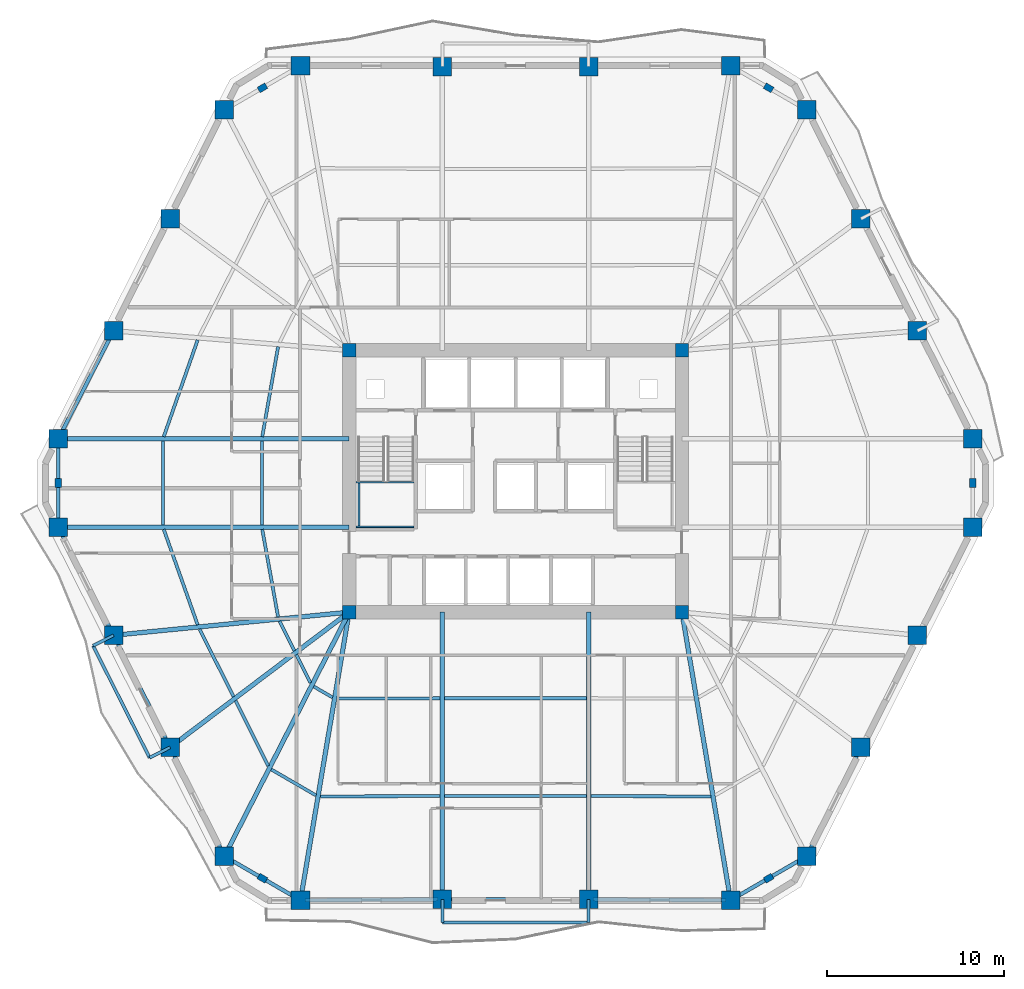
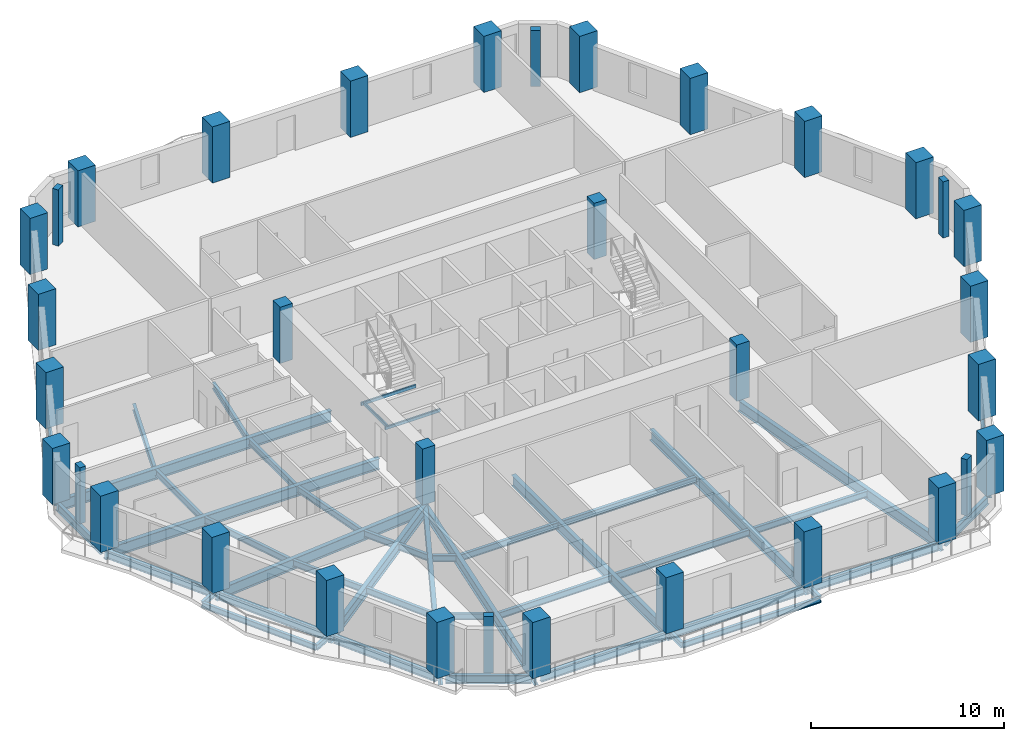
# One storey, part 1 of 10: 46 beams, 34 columns.
"""IFC4 building model written with IfcOpenShell, lengths in metres."""

from ifc_helpers import new_model, si_unit, direction, frame, origin, origin_2d, place, context, subcontext, project, spatial, rectangle, hollow_rectangle, i_section, extrude, material, material_profile, profile_set, type_object, element, save


model = new_model("IFC4")

# Units and contexts
model_context = context("Model", 3, precision=1e-05, world=origin(), true_north=direction((0.0, 1.0)))
body_context = subcontext(model_context, "Body", "Model", "MODEL_VIEW")
ifc_project = project(units=[si_unit("LENGTHUNIT", "METRE"), si_unit("AREAUNIT", "SQUARE_METRE"), si_unit("VOLUMEUNIT", "CUBIC_METRE"), si_unit("PLANEANGLEUNIT", "RADIAN"), si_unit("MASSUNIT", "GRAM", prefix="KILO")], contexts=[model_context])

# Site, building, storey
site_placement = place(None, origin())
site = spatial("IfcSite", under=ifc_project, at=site_placement, CompositionType="ELEMENT")
building_placement = place(site_placement, origin())
building = spatial("IfcBuilding", under=site, at=building_placement, Name="Cinnabar Lancet Tower", CompositionType="ELEMENT")
storey_placement = place(building_placement, frame((0.0, 0.0, 87.10009765625)))
storey = spatial("IfcBuildingStorey", under=building, at=storey_placement, Name="L22", CompositionType="ELEMENT", Elevation=87.10009765625)

# Columns
ifc_material_1 = material(Name="Concrete C70/85", Category="concrete")
ifc_material_profile_1 = material_profile(ifc_material_1, rectangle(XDim=0.75, YDim=0.75, at=origin_2d()), Name="RC-COL 750x750")
ifc_profile_set_1 = profile_set([ifc_material_profile_1], Name="Concrete C70/85")
column_type_1 = type_object("IfcColumnType", Name="STR-COL-CORE-750", PredefinedType="COLUMN", material=ifc_profile_set_1)
for number, where, z_axis, x_axis, name in (
    (1, (23.02490234375, 18.52490234375, 0.0), (0.0, 0.0, 1.0), (1.0, 0.0, 0.0), "L22 Core Corner Column SW"),
    (2, (41.77490234375, 18.52490234375, 0.0), (0.0, 0.0, 1.0), (1.0, 0.0, 0.0), "L22 Core Corner Column SE"),
    (3, (41.77490234375, 33.27490234375, 0.0), (0.0, 0.0, 1.0), (1.0, 0.0, 0.0), "L22 Core Corner Column NE"),
    (4, (23.02490234375, 33.27490234375, 0.0), (0.0, 0.0, 1.0), (1.0, 0.0, 0.0), "L22 Core Corner Column NW"),
):
    element("IfcColumn", number, at=place(storey_placement, frame(where, z_axis=z_axis, x_axis=x_axis)), inside=storey, type_object=column_type_1, Name=name, PredefinedType="COLUMN", context=body_context, shape_type="SweptSolid", body=[
        extrude(rectangle(XDim=0.75, YDim=0.75, at=origin_2d()), origin(), (0.0, 0.0, 1.0), 3.5498046875),
    ])
ifc_material_2 = material(Name="Concrete C60/75", Category="concrete")
ifc_material_profile_2 = material_profile(ifc_material_2, rectangle(XDim=0.5, YDim=0.35009765625, at=origin_2d()), Name="RC-PIL 500x350")
ifc_profile_set_2 = profile_set([ifc_material_profile_2], Name="Concrete C60/75")
column_type_2 = type_object("IfcColumnType", Name="STR-COL-PIL-500", PredefinedType="PILASTER", material=ifc_profile_set_2)
for number, where, z_axis, x_axis, name in (
    (5, (18.139892578125, 3.531005859375, 0.0), (0.0, 0.0, 1.0), (0.865195182343, -0.501435236546, 0.0), "L22 Chamfered Corner Pilaster 1"),
    (6, (46.659912109375, 3.531005859375, 0.0), (0.0, 0.0, 1.0), (0.865195182343, 0.501435236546, 0.0), "L22 Chamfered Corner Pilaster 2"),
    (7, (58.16796875, 25.800048828125, 0.0), (0.0, 0.0, 1.0), (0.0, 1.0, 0.0), "L22 Chamfered Corner Pilaster 3"),
    (8, (46.659912109375, 48.069091796875, 0.0), (0.0, 0.0, 1.0), (-0.865195182343, 0.501435236546, 0.0), "L22 Chamfered Corner Pilaster 4"),
    (9, (18.139892578125, 48.069091796875, 0.0), (0.0, 0.0, 1.0), (-0.865195182343, -0.501435236546, 0.0), "L22 Chamfered Corner Pilaster 5"),
    (10, (6.632080078125, 25.800048828125, 0.0), (0.0, 0.0, 1.0), (0.0, -1.0, 0.0), "L22 Chamfered Corner Pilaster 6"),
):
    element("IfcColumn", number, at=place(storey_placement, frame(where, z_axis=z_axis, x_axis=x_axis)), inside=storey, type_object=column_type_2, Name=name, PredefinedType="PILASTER", context=body_context, shape_type="SweptSolid", body=[
        extrude(rectangle(XDim=0.5, YDim=0.35009765625, at=origin_2d()), origin(), (0.0, 0.0, 1.0), 3.5498046875),
    ])
ifc_material_3 = material(Name="Concrete C70/85", Category="concrete")
ifc_material_profile_3 = material_profile(ifc_material_3, rectangle(XDim=1.050048828125, YDim=1.050048828125, at=origin_2d()), Name="RC-COL 1050x1050")
ifc_profile_set_3 = profile_set([ifc_material_profile_3], Name="Concrete C70/85")
column_type_3 = type_object("IfcColumnType", Name="STR-COL-TUBE-1050", PredefinedType="COLUMN", material=ifc_profile_set_3)
for number, where, z_axis, x_axis, name in (
    (11, (20.282958984375, 2.2890625, 0.0), (0.0, 0.0, 1.0), (1.0, 0.0, 0.0), "L22 Perimeter Tube Column 1"),
    (12, (28.278076171875, 2.342041015625, 0.0), (0.0, 0.0, 1.0), (1.0, 0.0, 0.0), "L22 Perimeter Tube Column 2"),
    (13, (36.52197265625, 2.342041015625, 0.0), (0.0, 0.0, 1.0), (1.0, 0.0, 0.0), "L22 Perimeter Tube Column 3"),
    (14, (44.51708984375, 2.2890625, 0.0), (0.0, 0.0, 1.0), (1.0, 0.0, 0.0), "L22 Perimeter Tube Column 4"),
    (15, (48.802978515625, 4.77294921875, 0.0), (0.0, 0.0, 1.0), (1.0, 0.0, 0.0), "L22 Perimeter Tube Column 5"),
    (16, (51.85888671875, 10.908935546875, 0.0), (0.0, 0.0, 1.0), (1.0, 0.0, 0.0), "L22 Perimeter Tube Column 6"),
    (17, (55.0458984375, 17.219970703125, 0.0), (0.0, 0.0, 1.0), (1.0, 0.0, 0.0), "L22 Perimeter Tube Column 7"),
    (18, (58.16796875, 23.31396484375, 0.0), (0.0, 0.0, 1.0), (1.0, 0.0, 0.0), "L22 Perimeter Tube Column 8"),
    (19, (58.16796875, 28.285888671875, 0.0), (0.0, 0.0, 1.0), (1.0, 0.0, 0.0), "L22 Perimeter Tube Column 9"),
    (20, (55.0458984375, 34.3798828125, 0.0), (0.0, 0.0, 1.0), (1.0, 0.0, 0.0), "L22 Perimeter Tube Column 10"),
    (21, (51.85888671875, 40.69091796875, 0.0), (0.0, 0.0, 1.0), (1.0, 0.0, 0.0), "L22 Perimeter Tube Column 11"),
    (22, (48.802978515625, 46.826904296875, 0.0), (0.0, 0.0, 1.0), (1.0, 0.0, 0.0), "L22 Perimeter Tube Column 12"),
    (23, (44.51708984375, 49.31103515625, 0.0), (0.0, 0.0, 1.0), (1.0, 0.0, 0.0), "L22 Perimeter Tube Column 13"),
    (24, (36.52197265625, 49.258056640625, 0.0), (0.0, 0.0, 1.0), (1.0, 0.0, 0.0), "L22 Perimeter Tube Column 14"),
    (25, (28.278076171875, 49.258056640625, 0.0), (0.0, 0.0, 1.0), (1.0, 0.0, 0.0), "L22 Perimeter Tube Column 15"),
    (26, (20.282958984375, 49.31103515625, 0.0), (0.0, 0.0, 1.0), (1.0, 0.0, 0.0), "L22 Perimeter Tube Column 16"),
    (27, (15.9970703125, 46.826904296875, 0.0), (0.0, 0.0, 1.0), (1.0, 0.0, 0.0), "L22 Perimeter Tube Column 17"),
    (28, (12.94091796875, 40.69091796875, 0.0), (0.0, 0.0, 1.0), (1.0, 0.0, 0.0), "L22 Perimeter Tube Column 18"),
    (29, (9.75390625, 34.3798828125, 0.0), (0.0, 0.0, 1.0), (1.0, 0.0, 0.0), "L22 Perimeter Tube Column 19"),
    (30, (6.632080078125, 28.285888671875, 0.0), (0.0, 0.0, 1.0), (1.0, 0.0, 0.0), "L22 Perimeter Tube Column 20"),
    (31, (6.632080078125, 23.31396484375, 0.0), (0.0, 0.0, 1.0), (1.0, 0.0, 0.0), "L22 Perimeter Tube Column 21"),
    (32, (9.75390625, 17.219970703125, 0.0), (0.0, 0.0, 1.0), (1.0, 0.0, 0.0), "L22 Perimeter Tube Column 22"),
    (33, (12.94091796875, 10.908935546875, 0.0), (0.0, 0.0, 1.0), (1.0, 0.0, 0.0), "L22 Perimeter Tube Column 23"),
    (34, (15.9970703125, 4.77294921875, 0.0), (0.0, 0.0, 1.0), (1.0, 0.0, 0.0), "L22 Perimeter Tube Column 24"),
):
    element("IfcColumn", number, at=place(storey_placement, frame(where, z_axis=z_axis, x_axis=x_axis)), inside=storey, type_object=column_type_3, Name=name, PredefinedType="COLUMN", context=body_context, shape_type="SweptSolid", body=[
        extrude(rectangle(XDim=1.050048828125, YDim=1.050048828125, at=origin_2d()), origin(), (0.0, 0.0, 1.0), 3.5498046875),
    ])

# Beams
ifc_material_4 = material(Name="Structural steel S355", Category="steel")
ifc_material_profile_4 = material_profile(ifc_material_4, i_section(OverallWidth=0.177978515625, OverallDepth=0.406494140625, WebThickness=0.0078125, FlangeThickness=0.0126953125, FilletRadius=0.01025390625, at=origin_2d()), Name="UKB 406x178x60")
ifc_profile_set_4 = profile_set([ifc_material_profile_4], Name="Structural steel S355")
beam_type_1 = type_object("IfcBeamType", Name="STR-BM-JST-406", PredefinedType="JOIST", material=ifc_profile_set_4)
beam_1_placement = place(storey_placement, frame((12.5791015625, 23.18701171875, -0.423095703125), z_axis=(0.334725039774, -0.942315842883, 0.0), x_axis=(0.942315842883, 0.334725039774, 0.0)))
element("IfcBeam", 35, at=beam_1_placement, inside=storey, type_object=beam_type_1, Name="L22 Secondary Floor Joist 1", PredefinedType="JOIST", context=body_context, shape_type="SweptSolid", body=[
    extrude(i_section(OverallWidth=0.177978515625, OverallDepth=0.406494140625, WebThickness=0.0078125, FlangeThickness=0.0126953125, FilletRadius=0.01025390625, at=origin_2d()), origin(), (0.0, 0.0, 1.0), 5.702880859375),
])
beam_2_placement = place(storey_placement, frame((18.1298828125, 23.18701171875, -0.423095703125), z_axis=(0.177941534491, -0.984041061289, 0.0), x_axis=(0.984041061289, 0.177941534491, 0.0)))
element("IfcBeam", 36, at=beam_2_placement, inside=storey, type_object=beam_type_1, Name="L22 Secondary Floor Joist 2", PredefinedType="JOIST", context=body_context, shape_type="SweptSolid", body=[
    extrude(i_section(OverallWidth=0.177978515625, OverallDepth=0.406494140625, WebThickness=0.0078125, FlangeThickness=0.0126953125, FilletRadius=0.01025390625, at=origin_2d()), origin(), (0.0, 0.0, 1.0), 5.0078125),
])
beam_3_placement = place(storey_placement, frame((14.593017578125, 17.568115234375, -0.423095703125), z_axis=(0.450763900798, -0.892643213012, 0.0), x_axis=(0.892643213012, 0.450763900798, 0.0)))
element("IfcBeam", 37, at=beam_3_placement, inside=storey, type_object=beam_type_1, Name="L22 Secondary Floor Joist 3", PredefinedType="JOIST", context=body_context, shape_type="SweptSolid", body=[
    extrude(i_section(OverallWidth=0.177978515625, OverallDepth=0.406494140625, WebThickness=0.0078125, FlangeThickness=0.0126953125, FilletRadius=0.01025390625, at=origin_2d()), origin(), (0.0, 0.0, 1.0), 4.25927734375),
])
beam_4_placement = place(storey_placement, frame((19.10498046875, 18.011962890625, -0.423095703125), z_axis=(0.450839777892, -0.892604892811, 0.0), x_axis=(0.892604892811, 0.450839777892, 0.0)))
element("IfcBeam", 38, at=beam_4_placement, inside=storey, type_object=beam_type_1, Name="L22 Secondary Floor Joist 4", PredefinedType="JOIST", context=body_context, shape_type="SweptSolid", body=[
    extrude(i_section(OverallWidth=0.177978515625, OverallDepth=0.406494140625, WebThickness=0.0078125, FlangeThickness=0.0126953125, FilletRadius=0.01025390625, at=origin_2d()), origin(), (0.0, 0.0, 1.0), 1.8564453125),
])
beam_5_placement = place(storey_placement, frame((16.62890625, 13.534912109375, -0.423095703125), z_axis=(0.445879271348, -0.895093109896, 0.0), x_axis=(0.895093109896, 0.445879271348, 0.0)))
element("IfcBeam", 39, at=beam_5_placement, inside=storey, type_object=beam_type_1, Name="L22 Secondary Floor Joist 5", PredefinedType="JOIST", context=body_context, shape_type="SweptSolid", body=[
    extrude(i_section(OverallWidth=0.177978515625, OverallDepth=0.406494140625, WebThickness=0.0078125, FlangeThickness=0.0126953125, FilletRadius=0.01025390625, at=origin_2d()), origin(), (0.0, 0.0, 1.0), 4.10009765625),
])
beam_6_placement = place(storey_placement, frame((20.056884765625, 16.125, -0.423095703125), z_axis=(0.445888683384, -0.895088421347, 0.0), x_axis=(0.895088421347, 0.445888683384, 0.0)))
element("IfcBeam", 40, at=beam_6_placement, inside=storey, type_object=beam_type_1, Name="L22 Secondary Floor Joist 6", PredefinedType="JOIST", context=body_context, shape_type="SweptSolid", body=[
    extrude(i_section(OverallWidth=0.177978515625, OverallDepth=0.406494140625, WebThickness=0.0078125, FlangeThickness=0.0126953125, FilletRadius=0.01025390625, at=origin_2d()), origin(), (0.0, 0.0, 1.0), 1.76953125),
])
beam_7_placement = place(storey_placement, frame((18.636962890625, 9.659912109375, -0.423095703125), z_axis=(0.865230791262, -0.501373790551, 0.0), x_axis=(0.501373790551, 0.865230791262, 0.0)))
element("IfcBeam", 41, at=beam_7_placement, inside=storey, type_object=beam_type_1, Name="L22 Secondary Floor Joist 7", PredefinedType="JOIST", context=body_context, shape_type="SweptSolid", body=[
    extrude(i_section(OverallWidth=0.177978515625, OverallDepth=0.406494140625, WebThickness=0.0078125, FlangeThickness=0.0126953125, FilletRadius=0.01025390625, at=origin_2d()), origin(), (0.0, 0.0, 1.0), 2.907958984375),
])
beam_8_placement = place(storey_placement, frame((21.027099609375, 14.3359375, -0.423095703125), z_axis=(0.864870018283, -0.501995867986, 0.0), x_axis=(0.501995867986, 0.864870018283, 0.0)))
element("IfcBeam", 42, at=beam_8_placement, inside=storey, type_object=beam_type_1, Name="L22 Secondary Floor Joist 8", PredefinedType="JOIST", context=body_context, shape_type="SweptSolid", body=[
    extrude(i_section(OverallWidth=0.177978515625, OverallDepth=0.406494140625, WebThickness=0.0078125, FlangeThickness=0.0126953125, FilletRadius=0.01025390625, at=origin_2d()), origin(), (0.0, 0.0, 1.0), 1.22314453125),
])
beam_9_placement = place(storey_placement, frame((21.39892578125, 8.135009765625, -0.423095703125), z_axis=(0.999988781713, 0.004736712844, 0.0), x_axis=(-0.004736712844, 0.999988781713, 0.0)))
element("IfcBeam", 43, at=beam_9_placement, inside=storey, type_object=beam_type_1, Name="L22 Secondary Floor Joist 9", PredefinedType="JOIST", context=body_context, shape_type="SweptSolid", body=[
    extrude(i_section(OverallWidth=0.177978515625, OverallDepth=0.406494140625, WebThickness=0.0078125, FlangeThickness=0.0126953125, FilletRadius=0.01025390625, at=origin_2d()), origin(), (0.0, 0.0, 1.0), 6.751953125),
])
beam_10_placement = place(storey_placement, frame((22.3310546875, 13.655029296875, -0.423095703125), z_axis=(0.99999672593, 0.00255893113, 0.0), x_axis=(-0.00255893113, 0.99999672593, 0.0)))
element("IfcBeam", 44, at=beam_10_placement, inside=storey, type_object=beam_type_1, Name="L22 Secondary Floor Joist 10", PredefinedType="JOIST", context=body_context, shape_type="SweptSolid", body=[
    extrude(i_section(OverallWidth=0.177978515625, OverallDepth=0.406494140625, WebThickness=0.0078125, FlangeThickness=0.0126953125, FilletRadius=0.01025390625, at=origin_2d()), origin(), (0.0, 0.0, 1.0), 5.81982421875),
])
for number, where, z_axis, x_axis, name in (
    (45, (28.405029296875, 8.16796875, -0.423095703125), (1.0, 0.0, 0.0), (0.0, 1.0, 0.0), "L22 Secondary Floor Joist 11"),
    (46, (28.405029296875, 13.669921875, -0.423095703125), (1.0, 0.0, 0.0), (0.0, 1.0, 0.0), "L22 Secondary Floor Joist 12"),
):
    element("IfcBeam", number, at=place(storey_placement, frame(where, z_axis=z_axis, x_axis=x_axis)), inside=storey, type_object=beam_type_1, Name=name, PredefinedType="JOIST", context=body_context, shape_type="SweptSolid", body=[
        extrude(i_section(OverallWidth=0.177978515625, OverallDepth=0.406494140625, WebThickness=0.0078125, FlangeThickness=0.0126953125, FilletRadius=0.01025390625, at=origin_2d()), origin(), (0.0, 0.0, 1.0), 7.989990234375),
    ])
beam_11_placement = place(storey_placement, frame((36.64892578125, 8.1669921875, -0.423095703125), z_axis=(0.999988781713, -0.004736712844, 0.0), x_axis=(0.004736712844, 0.999988781713, 0.0)))
element("IfcBeam", 47, at=beam_11_placement, inside=storey, type_object=beam_type_1, Name="L22 Secondary Floor Joist 13", PredefinedType="JOIST", context=body_context, shape_type="SweptSolid", body=[
    extrude(i_section(OverallWidth=0.177978515625, OverallDepth=0.406494140625, WebThickness=0.0078125, FlangeThickness=0.0126953125, FilletRadius=0.01025390625, at=origin_2d()), origin(), (0.0, 0.0, 1.0), 6.751953125),
])
beam_12_placement = place(storey_placement, frame((14.488037109375, 33.85888671875, -0.423095703125), z_axis=(-0.330987266454, -0.943635220541, 0.0), x_axis=(0.943635220541, -0.330987266454, 0.0)))
element("IfcBeam", 48, at=beam_12_placement, inside=storey, type_object=beam_type_1, Name="L22 Secondary Floor Joist 45", PredefinedType="JOIST", context=body_context, shape_type="SweptSolid", body=[
    extrude(i_section(OverallWidth=0.177978515625, OverallDepth=0.406494140625, WebThickness=0.0078125, FlangeThickness=0.0126953125, FilletRadius=0.01025390625, at=origin_2d()), origin(), (0.0, 0.0, 1.0), 5.77099609375),
])
beam_13_placement = place(storey_placement, frame((19.02197265625, 33.48095703125, -0.423095703125), z_axis=(-0.173547157688, -0.984825560218, 0.0), x_axis=(0.984825560218, -0.173547157688, 0.0)))
element("IfcBeam", 49, at=beam_13_placement, inside=storey, type_object=beam_type_1, Name="L22 Secondary Floor Joist 46", PredefinedType="JOIST", context=body_context, shape_type="SweptSolid", body=[
    extrude(i_section(OverallWidth=0.177978515625, OverallDepth=0.406494140625, WebThickness=0.0078125, FlangeThickness=0.0126953125, FilletRadius=0.01025390625, at=origin_2d()), origin(), (0.0, 0.0, 1.0), 5.14599609375),
])
for number, where, z_axis, x_axis, name in (
    (50, (12.532958984375, 28.158935546875, -0.423095703125), (0.0, -1.0, 0.0), (1.0, 0.0, 0.0), "L22 Secondary Floor Joist 47"),
    (51, (18.10693359375, 28.158935546875, -0.423095703125), (0.0, -1.0, 0.0), (1.0, 0.0, 0.0), "L22 Secondary Floor Joist 48"),
):
    element("IfcBeam", number, at=place(storey_placement, frame(where, z_axis=z_axis, x_axis=x_axis)), inside=storey, type_object=beam_type_1, Name=name, PredefinedType="JOIST", context=body_context, shape_type="SweptSolid", body=[
        extrude(i_section(OverallWidth=0.177978515625, OverallDepth=0.406494140625, WebThickness=0.0078125, FlangeThickness=0.0126953125, FilletRadius=0.01025390625, at=origin_2d()), origin(), (0.0, 0.0, 1.0), 4.718017578125),
    ])
ifc_material_5 = material(Name="Structural steel S355", Category="steel")
ifc_material_profile_5 = material_profile(ifc_material_5, hollow_rectangle(XDim=0.10009765625, YDim=0.199951171875, WallThickness=0.008056640625, InnerFilletRadius=0.00390625, OuterFilletRadius=0.011962890625, at=origin_2d()), Name="RHS 200x100x8")
ifc_profile_set_5 = profile_set([ifc_material_profile_5], Name="Structural steel S355")
beam_type_2 = type_object("IfcBeamType", Name="STR-BM-LND-203", PredefinedType="BEAM", material=ifc_profile_set_5)
for number, where, z_axis, x_axis, name in (
    (52, (23.39990234375, 23.330078125, 1.474853515625), (1.0, 0.0, 0.0), (0.0, 1.0, 0.0), "L22 ST-1-L22 Landing Support Beam S"),
    (53, (23.39990234375, 25.844970703125, 1.474853515625), (1.0, 0.0, 0.0), (0.0, 1.0, 0.0), "L22 ST-1-L22 Landing Support Beam N"),
):
    element("IfcBeam", number, at=place(storey_placement, frame(where, z_axis=z_axis, x_axis=x_axis)), inside=storey, type_object=beam_type_2, Name=name, PredefinedType="BEAM", context=body_context, shape_type="SweptSolid", body=[
        extrude(hollow_rectangle(XDim=0.10009765625, YDim=0.199951171875, WallThickness=0.008056640625, InnerFilletRadius=0.00390625, OuterFilletRadius=0.011962890625, at=origin_2d()), origin(), (0.0, 0.0, 1.0), 3.280029296875),
    ])
beam_14_placement = place(storey_placement, frame((23.580078125, 23.3798828125, 1.474853515625), z_axis=(0.0, 1.0, 0.0), x_axis=(-1.0, 0.0, 0.0)))
element("IfcBeam", 54, at=beam_14_placement, inside=storey, type_object=beam_type_2, Name="L22 ST-1-L22 Landing Side Trimmer Beam", PredefinedType="BEAM", context=body_context, shape_type="SweptSolid", body=[
    extrude(hollow_rectangle(XDim=0.10009765625, YDim=0.199951171875, WallThickness=0.008056640625, InnerFilletRadius=0.00390625, OuterFilletRadius=0.011962890625, at=origin_2d()), origin(), (0.0, 0.0, 1.0), 2.4150390625),
])
ifc_material_6 = material(Name="Structural steel S355", Category="steel")
ifc_material_profile_6 = material_profile(ifc_material_6, i_section(OverallWidth=0.209228515625, OverallDepth=0.533203125, WebThickness=0.010009765625, FlangeThickness=0.015625, FilletRadius=0.0126953125, at=origin_2d()), Name="UKB 533x210x92")
ifc_profile_set_6 = profile_set([ifc_material_profile_6], Name="Structural steel S355")
beam_type_3 = type_object("IfcBeamType", Name="STR-BM-SPN-533", PredefinedType="SPANDREL", material=ifc_profile_set_6)
beam_15_placement = place(storey_placement, frame((20.532958984375, 2.291015625, -0.487060546875), z_axis=(0.99997856757, 0.006547090947, 0.0), x_axis=(-0.006547090947, 0.99997856757, 0.0)))
element("IfcBeam", 55, at=beam_15_placement, inside=storey, type_object=beam_type_3, Name="L22 Perimeter Spandrel 1", PredefinedType="SPANDREL", context=body_context, shape_type="SweptSolid", body=[
    extrude(i_section(OverallWidth=0.209228515625, OverallDepth=0.533203125, WebThickness=0.010009765625, FlangeThickness=0.015625, FilletRadius=0.0126953125, at=origin_2d()), origin(), (0.0, 0.0, 1.0), 7.495361328125),
])
beam_16_placement = place(storey_placement, frame((28.528076171875, 2.342041015625, -0.487060546875), z_axis=(1.0, 0.0, 0.0), x_axis=(0.0, 1.0, 0.0)))
element("IfcBeam", 56, at=beam_16_placement, inside=storey, type_object=beam_type_3, Name="L22 Perimeter Spandrel 2", PredefinedType="SPANDREL", context=body_context, shape_type="SweptSolid", body=[
    extrude(i_section(OverallWidth=0.209228515625, OverallDepth=0.533203125, WebThickness=0.010009765625, FlangeThickness=0.015625, FilletRadius=0.0126953125, at=origin_2d()), origin(), (0.0, 0.0, 1.0), 7.743896484375),
])
beam_17_placement = place(storey_placement, frame((36.77197265625, 2.340087890625, -0.487060546875), z_axis=(0.99997856757, -0.006547090947, 0.0), x_axis=(0.006547090947, 0.99997856757, 0.0)))
element("IfcBeam", 57, at=beam_17_placement, inside=storey, type_object=beam_type_3, Name="L22 Perimeter Spandrel 3", PredefinedType="SPANDREL", context=body_context, shape_type="SweptSolid", body=[
    extrude(i_section(OverallWidth=0.209228515625, OverallDepth=0.533203125, WebThickness=0.010009765625, FlangeThickness=0.015625, FilletRadius=0.0126953125, at=origin_2d()), origin(), (0.0, 0.0, 1.0), 7.495361328125),
])
beam_18_placement = place(storey_placement, frame((44.73291015625, 2.4140625, -0.487060546875), z_axis=(0.865171017323, 0.501476929463, 0.0), x_axis=(-0.501476929463, 0.865171017323, 0.0)))
element("IfcBeam", 58, at=beam_18_placement, inside=storey, type_object=beam_type_3, Name="L22 Perimeter Spandrel 4", PredefinedType="SPANDREL", context=body_context, shape_type="SweptSolid", body=[
    extrude(i_section(OverallWidth=0.209228515625, OverallDepth=0.533203125, WebThickness=0.010009765625, FlangeThickness=0.015625, FilletRadius=0.0126953125, at=origin_2d()), origin(), (0.0, 0.0, 1.0), 4.45458984375),
])
beam_19_placement = place(storey_placement, frame((48.9140625, 4.9970703125, -0.487060546875), z_axis=(0.445953050023, 0.89505635419, 0.0), x_axis=(-0.89505635419, 0.445953050023, 0.0)))
element("IfcBeam", 59, at=beam_19_placement, inside=storey, type_object=beam_type_3, Name="L22 Perimeter Spandrel 5", PredefinedType="SPANDREL", context=body_context, shape_type="SweptSolid", body=[
    extrude(i_section(OverallWidth=0.209228515625, OverallDepth=0.533203125, WebThickness=0.010009765625, FlangeThickness=0.015625, FilletRadius=0.0126953125, at=origin_2d()), origin(), (0.0, 0.0, 1.0), 6.35498046875),
])
beam_20_placement = place(storey_placement, frame((9.639892578125, 34.156982421875, -0.487060546875), z_axis=(-0.455994051912, -0.889982822655, 0.0), x_axis=(0.889982822655, -0.455994051912, 0.0)))
element("IfcBeam", 60, at=beam_20_placement, inside=storey, type_object=beam_type_3, Name="L22 Perimeter Spandrel 19", PredefinedType="SPANDREL", context=body_context, shape_type="SweptSolid", body=[
    extrude(i_section(OverallWidth=0.209228515625, OverallDepth=0.533203125, WebThickness=0.010009765625, FlangeThickness=0.015625, FilletRadius=0.0126953125, at=origin_2d()), origin(), (0.0, 0.0, 1.0), 6.34619140625),
])
beam_21_placement = place(storey_placement, frame((6.632080078125, 28.035888671875, -0.487060546875), z_axis=(0.0, -1.0, 0.0), x_axis=(1.0, 0.0, 0.0)))
element("IfcBeam", 61, at=beam_21_placement, inside=storey, type_object=beam_type_3, Name="L22 Perimeter Spandrel 20", PredefinedType="SPANDREL", context=body_context, shape_type="SweptSolid", body=[
    extrude(i_section(OverallWidth=0.209228515625, OverallDepth=0.533203125, WebThickness=0.010009765625, FlangeThickness=0.015625, FilletRadius=0.0126953125, at=origin_2d()), origin(), (0.0, 0.0, 1.0), 4.471923828125),
])
beam_22_placement = place(storey_placement, frame((6.74609375, 23.091064453125, -0.487060546875), z_axis=(0.455994051912, -0.889982822655, 0.0), x_axis=(0.889982822655, 0.455994051912, 0.0)))
element("IfcBeam", 62, at=beam_22_placement, inside=storey, type_object=beam_type_3, Name="L22 Perimeter Spandrel 21", PredefinedType="SPANDREL", context=body_context, shape_type="SweptSolid", body=[
    extrude(i_section(OverallWidth=0.209228515625, OverallDepth=0.533203125, WebThickness=0.010009765625, FlangeThickness=0.015625, FilletRadius=0.0126953125, at=origin_2d()), origin(), (0.0, 0.0, 1.0), 6.34619140625),
])
beam_23_placement = place(storey_placement, frame((9.866943359375, 16.9970703125, -0.487060546875), z_axis=(0.450673532306, -0.892688841242, 0.0), x_axis=(0.892688841242, 0.450673532306, 0.0)))
element("IfcBeam", 63, at=beam_23_placement, inside=storey, type_object=beam_type_3, Name="L22 Perimeter Spandrel 22", PredefinedType="SPANDREL", context=body_context, shape_type="SweptSolid", body=[
    extrude(i_section(OverallWidth=0.209228515625, OverallDepth=0.533203125, WebThickness=0.010009765625, FlangeThickness=0.015625, FilletRadius=0.0126953125, at=origin_2d()), origin(), (0.0, 0.0, 1.0), 6.570068359375),
])
beam_24_placement = place(storey_placement, frame((13.052001953125, 10.68505859375, -0.487060546875), z_axis=(0.445953050023, -0.89505635419, 0.0), x_axis=(0.89505635419, 0.445953050023, 0.0)))
element("IfcBeam", 64, at=beam_24_placement, inside=storey, type_object=beam_type_3, Name="L22 Perimeter Spandrel 23", PredefinedType="SPANDREL", context=body_context, shape_type="SweptSolid", body=[
    extrude(i_section(OverallWidth=0.209228515625, OverallDepth=0.533203125, WebThickness=0.010009765625, FlangeThickness=0.015625, FilletRadius=0.0126953125, at=origin_2d()), origin(), (0.0, 0.0, 1.0), 6.35498046875),
])
beam_25_placement = place(storey_placement, frame((16.212890625, 4.64794921875, -0.487060546875), z_axis=(0.865171017323, -0.501476929463, 0.0), x_axis=(0.501476929463, 0.865171017323, 0.0)))
element("IfcBeam", 65, at=beam_25_placement, inside=storey, type_object=beam_type_3, Name="L22 Perimeter Spandrel 24", PredefinedType="SPANDREL", context=body_context, shape_type="SweptSolid", body=[
    extrude(i_section(OverallWidth=0.209228515625, OverallDepth=0.533203125, WebThickness=0.010009765625, FlangeThickness=0.015625, FilletRadius=0.0126953125, at=origin_2d()), origin(), (0.0, 0.0, 1.0), 4.45458984375),
])
ifc_material_7 = material(Name="Structural steel S355", Category="steel")
ifc_material_profile_7 = material_profile(ifc_material_7, i_section(OverallWidth=0.253662109375, OverallDepth=0.68359375, WebThickness=0.012451171875, FlangeThickness=0.01904296875, FilletRadius=0.01513671875, at=origin_2d()), Name="UKB 686x254x140")
ifc_profile_set_7 = profile_set([ifc_material_profile_7], Name="Structural steel S355")
beam_type_4 = type_object("IfcBeamType", Name="STR-BM-UKB686-140", PredefinedType="BEAM", material=ifc_profile_set_7)
beam_26_placement = place(storey_placement, frame((12.94091796875, 10.908935546875, -0.56201171875), z_axis=(0.797983154837, 0.602679752933, 0.0), x_axis=(-0.602679752933, 0.797983154837, 0.0)))
element("IfcBeam", 66, at=beam_26_placement, inside=storey, type_object=beam_type_4, Name="L22 Corner Collector Girder 1", PredefinedType="BEAM", context=body_context, shape_type="SweptSolid", body=[
    extrude(i_section(OverallWidth=0.253662109375, OverallDepth=0.68359375, WebThickness=0.012451171875, FlangeThickness=0.01904296875, FilletRadius=0.01513671875, at=origin_2d()), origin(), (0.0, 0.0, 1.0), 12.63671875),
])
beam_27_placement = place(storey_placement, frame((20.282958984375, 2.2890625, -0.56201171875), z_axis=(0.166524102484, 0.986037384328, 0.0), x_axis=(-0.986037384328, 0.166524102484, 0.0)))
element("IfcBeam", 67, at=beam_27_placement, inside=storey, type_object=beam_type_4, Name="L22 Primary Floor Girder 1", PredefinedType="BEAM", context=body_context, shape_type="SweptSolid", body=[
    extrude(i_section(OverallWidth=0.253662109375, OverallDepth=0.68359375, WebThickness=0.012451171875, FlangeThickness=0.01904296875, FilletRadius=0.01513671875, at=origin_2d()), origin(), (0.0, 0.0, 1.0), 16.4658203125),
])
for number, where, z_axis, x_axis, name in (
    (68, (28.278076171875, 2.342041015625, -0.56201171875), (0.0, 1.0, 0.0), (-1.0, 0.0, 0.0), "L22 Primary Floor Girder 2"),
    (69, (36.52197265625, 2.342041015625, -0.56201171875), (0.0, 1.0, 0.0), (-1.0, 0.0, 0.0), "L22 Primary Floor Girder 3"),
):
    element("IfcBeam", number, at=place(storey_placement, frame(where, z_axis=z_axis, x_axis=x_axis)), inside=storey, type_object=beam_type_4, Name=name, PredefinedType="BEAM", context=body_context, shape_type="SweptSolid", body=[
        extrude(i_section(OverallWidth=0.253662109375, OverallDepth=0.68359375, WebThickness=0.012451171875, FlangeThickness=0.01904296875, FilletRadius=0.01513671875, at=origin_2d()), origin(), (0.0, 0.0, 1.0), 16.182861328125),
    ])
beam_28_placement = place(storey_placement, frame((44.51708984375, 2.2890625, -0.56201171875), z_axis=(-0.166538518453, 0.98603494962, 0.0), x_axis=(-0.98603494962, -0.166538518453, 0.0)))
element("IfcBeam", 70, at=beam_28_placement, inside=storey, type_object=beam_type_4, Name="L22 Primary Floor Girder 4", PredefinedType="BEAM", context=body_context, shape_type="SweptSolid", body=[
    extrude(i_section(OverallWidth=0.253662109375, OverallDepth=0.68359375, WebThickness=0.012451171875, FlangeThickness=0.01904296875, FilletRadius=0.01513671875, at=origin_2d()), origin(), (0.0, 0.0, 1.0), 16.4658203125),
])
for number, where, z_axis, x_axis, name in (
    (71, (6.632080078125, 28.285888671875, -0.56201171875), (1.0, 0.0, 0.0), (0.0, 1.0, 0.0), "L22 Primary Floor Girder 20"),
    (72, (6.632080078125, 23.31396484375, -0.56201171875), (1.0, 0.0, 0.0), (0.0, 1.0, 0.0), "L22 Primary Floor Girder 21"),
):
    element("IfcBeam", number, at=place(storey_placement, frame(where, z_axis=z_axis, x_axis=x_axis)), inside=storey, type_object=beam_type_4, Name=name, PredefinedType="BEAM", context=body_context, shape_type="SweptSolid", body=[
        extrude(i_section(OverallWidth=0.253662109375, OverallDepth=0.68359375, WebThickness=0.012451171875, FlangeThickness=0.01904296875, FilletRadius=0.01513671875, at=origin_2d()), origin(), (0.0, 0.0, 1.0), 16.392822265625),
    ])
beam_29_placement = place(storey_placement, frame((9.75390625, 17.219970703125, -0.56201171875), z_axis=(0.995200421983, 0.097857652149, 0.0), x_axis=(-0.097857652149, 0.995200421983, 0.0)))
element("IfcBeam", 73, at=beam_29_placement, inside=storey, type_object=beam_type_4, Name="L22 Primary Floor Girder 22", PredefinedType="BEAM", context=body_context, shape_type="SweptSolid", body=[
    extrude(i_section(OverallWidth=0.253662109375, OverallDepth=0.68359375, WebThickness=0.012451171875, FlangeThickness=0.01904296875, FilletRadius=0.01513671875, at=origin_2d()), origin(), (0.0, 0.0, 1.0), 13.3349609375),
])
beam_30_placement = place(storey_placement, frame((15.9970703125, 4.77294921875, -0.56201171875), z_axis=(0.455062593839, 0.890459452018, 0.0), x_axis=(-0.890459452018, 0.455062593839, 0.0)))
element("IfcBeam", 74, at=beam_30_placement, inside=storey, type_object=beam_type_4, Name="L22 Primary Floor Girder 24", PredefinedType="BEAM", context=body_context, shape_type="SweptSolid", body=[
    extrude(i_section(OverallWidth=0.253662109375, OverallDepth=0.68359375, WebThickness=0.012451171875, FlangeThickness=0.01904296875, FilletRadius=0.01513671875, at=origin_2d()), origin(), (0.0, 0.0, 1.0), 15.443603515625),
])
ifc_material_8 = material(Name="Structural steel S355", Category="steel")
ifc_material_profile_8 = material_profile(ifc_material_8, i_section(OverallWidth=0.17138671875, OverallDepth=0.35498046875, WebThickness=0.00732421875, FlangeThickness=0.011474609375, FilletRadius=0.01025390625, at=origin_2d()), Name="UKB 356x171x51")
ifc_profile_set_8 = profile_set([ifc_material_profile_8], Name="Structural steel S355")
beam_type_5 = type_object("IfcBeamType", Name="STR-BM-WAV-OUT", PredefinedType="BEAM", material=ifc_profile_set_8)
for number, where, z_axis, x_axis, name in (
    (75, (28.278076171875, 2.342041015625, -0.397216796875), (0.0, -1.0, 0.0), (1.0, 0.0, 0.0), "L22 Face 1 Balcony Outlooker A"),
    (76, (36.52197265625, 2.342041015625, -0.397216796875), (0.0, -1.0, 0.0), (1.0, 0.0, 0.0), "L22 Face 1 Balcony Outlooker B"),
    (77, (9.75390625, 17.219970703125, -0.397216796875), (-0.89227592947, -0.451490493464, 0.0), (0.451490493464, -0.89227592947, 0.0), "L22 Face 6 Balcony Outlooker A"),
    (78, (12.94091796875, 10.908935546875, -0.397216796875), (-0.89227592947, -0.451490493464, 0.0), (0.451490493464, -0.89227592947, 0.0), "L22 Face 6 Balcony Outlooker B"),
):
    element("IfcBeam", number, at=place(storey_placement, frame(where, z_axis=z_axis, x_axis=x_axis)), inside=storey, type_object=beam_type_5, Name=name, PredefinedType="BEAM", context=body_context, shape_type="SweptSolid", body=[
        extrude(i_section(OverallWidth=0.17138671875, OverallDepth=0.35498046875, WebThickness=0.00732421875, FlangeThickness=0.011474609375, FilletRadius=0.01025390625, at=origin_2d()), origin(), (0.0, 0.0, 1.0), 1.300048828125),
    ])
ifc_material_9 = material(Name="Structural steel S355", Category="steel")
ifc_material_profile_9 = material_profile(ifc_material_9, i_section(OverallWidth=0.17138671875, OverallDepth=0.35498046875, WebThickness=0.00732421875, FlangeThickness=0.011474609375, FilletRadius=0.01025390625, at=origin_2d()), Name="UKB 356x171x51")
ifc_profile_set_9 = profile_set([ifc_material_profile_9], Name="Structural steel S355")
beam_type_6 = type_object("IfcBeamType", Name="STR-BM-WAV-TRIM", PredefinedType="SPANDREL", material=ifc_profile_set_9)
beam_31_placement = place(storey_placement, frame((28.278076171875, 1.0419921875, -0.397216796875), z_axis=(1.0, 0.0, 0.0), x_axis=(0.0, 1.0, 0.0)))
element("IfcBeam", 79, at=beam_31_placement, inside=storey, type_object=beam_type_6, Name="L22 Face 1 Balcony Edge Trimmer", PredefinedType="SPANDREL", context=body_context, shape_type="SweptSolid", body=[
    extrude(i_section(OverallWidth=0.17138671875, OverallDepth=0.35498046875, WebThickness=0.00732421875, FlangeThickness=0.011474609375, FilletRadius=0.01025390625, at=origin_2d()), origin(), (0.0, 0.0, 1.0), 8.243896484375),
])
beam_32_placement = place(storey_placement, frame((8.593994140625, 16.633056640625, -0.397216796875), z_axis=(0.450773692627, -0.892638268301, 0.0), x_axis=(0.892638268301, 0.450773692627, 0.0)))
element("IfcBeam", 80, at=beam_32_placement, inside=storey, type_object=beam_type_6, Name="L22 Face 6 Balcony Edge Trimmer", PredefinedType="SPANDREL", context=body_context, shape_type="SweptSolid", body=[
    extrude(i_section(OverallWidth=0.17138671875, OverallDepth=0.35498046875, WebThickness=0.00732421875, FlangeThickness=0.011474609375, FilletRadius=0.01025390625, at=origin_2d()), origin(), (0.0, 0.0, 1.0), 7.070068359375),
])

save(model, "model.ifc")
